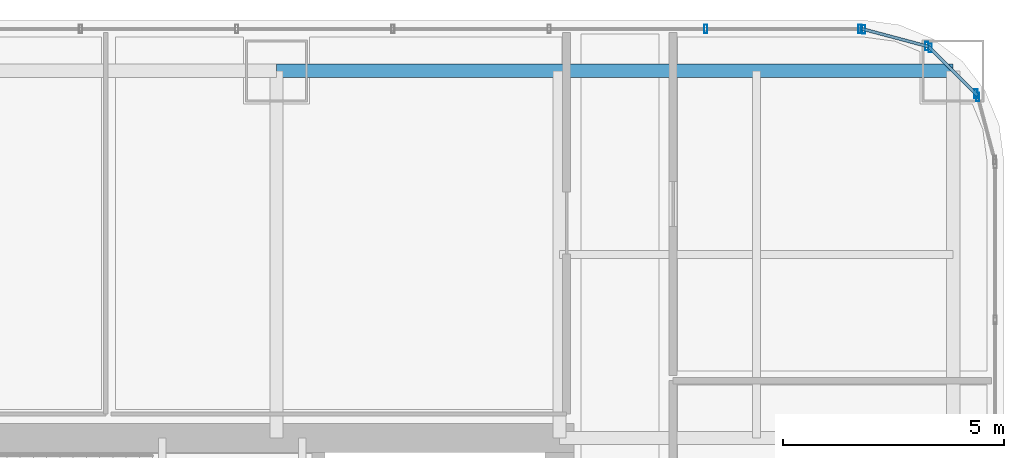
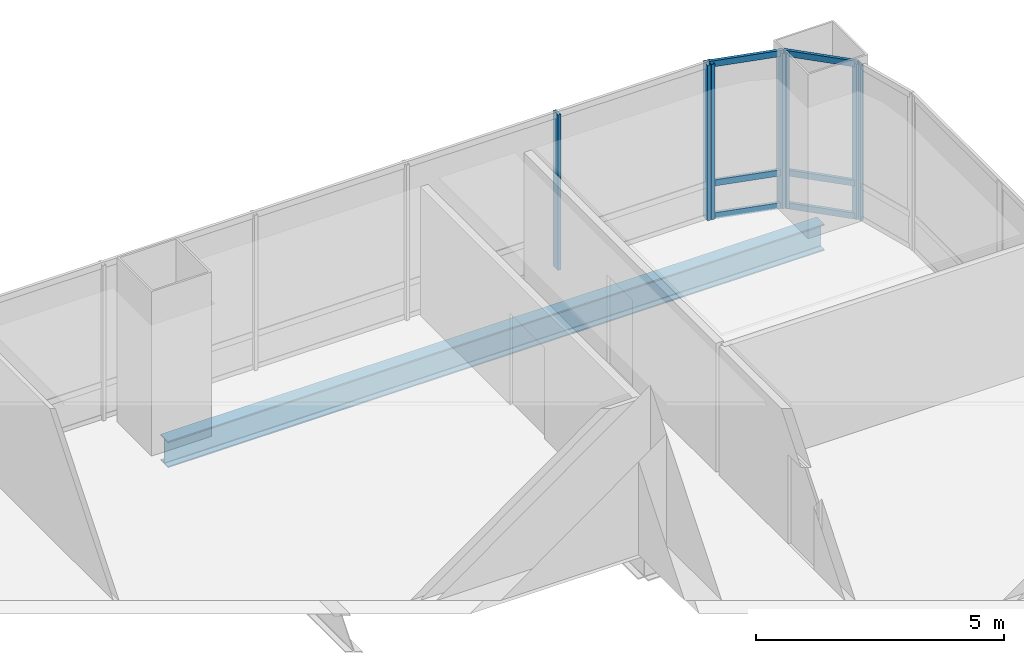
# One storey, part 26 of 37: 13 members, 1 beam, 4 elements without a shape of their own.
"""IFC4 building model written with IfcOpenShell, lengths in metres."""

import ifcopenshell
import ifcopenshell.guid

model = None  # the IFC model being written
_history = None  # IfcOwnerHistory: only IFC2X3 demands one
_inside = {}  # id of a spatial element -> (the spatial element, [elements in it])
_under = {}  # id of a project, library or spatial element -> (it, [spatial elements below it])
_declared = {}  # id of a project -> (the project, [libraries it declares])
_typed = {}  # id of a type object -> (the type object, [elements of that type])
_made_of = {}  # id of a material, layer set ... -> (it, [elements and type objects made of it])


def new_model(schema):
    """Start an empty IFC model of exactly this schema.

    Asked for "IFC4X3", IfcOpenShell would pick the latest addendum, in which some entities
    have other attributes; the version numbers below select the first issue.
    IFC2X3 requires an IfcOwnerHistory on every rooted entity: one is made here for all.
    """
    global model, _history
    if schema == "IFC4X3":
        model = ifcopenshell.file(schema_version=(4, 3, 0, 0))
    else:
        model = ifcopenshell.file(schema=schema)
    _inside.clear()
    _under.clear()
    _declared.clear()
    _typed.clear()
    _made_of.clear()
    _history = None
    if model.schema == "IFC2X3":
        org = make("IfcOrganization", Name="unknown")
        user = make(
            "IfcPersonAndOrganization",
            ThePerson=make("IfcPerson", FamilyName="unknown"),
            TheOrganization=org,
        )
        app = make(
            "IfcApplication",
            ApplicationDeveloper=org,
            Version="unknown",
            ApplicationFullName="unknown",
            ApplicationIdentifier="unknown",
        )
        _history = make(
            "IfcOwnerHistory",
            OwningUser=user,
            OwningApplication=app,
            ChangeAction="ADDED",
            CreationDate=0,
        )
    return model


def make(cls, **values):
    """One entity of the class cls with the attributes given. An attribute that is None is left unset."""
    return model.create_entity(
        cls, **{name: value for name, value in values.items() if value is not None}
    )


def rooted(cls, **values):
    """An entity with a GlobalId (a new one), such as an element, a storey or a relation."""
    return make(cls, GlobalId=ifcopenshell.guid.new(), OwnerHistory=_history, **values)


def si_unit(unit_type, name, prefix=None):
    """IfcSIUnit, for example si_unit("LENGTHUNIT", "METRE", prefix="MILLI")."""
    return make("IfcSIUnit", UnitType=unit_type, Prefix=prefix, Name=name)


def assignment(units):
    """IfcUnitAssignment: the units of a project."""
    return None if units is None else make("IfcUnitAssignment", Units=units)


def point(xyz):
    """IfcCartesianPoint."""
    return None if xyz is None else make("IfcCartesianPoint", Coordinates=xyz)


def direction(xyz):
    """IfcDirection."""
    return None if xyz is None else make("IfcDirection", DirectionRatios=xyz)


def frame(location, z_axis=None, x_axis=None):
    """IfcAxis2Placement3D, a coordinate frame: its origin and axes. An axis left out is left unset."""
    return make(
        "IfcAxis2Placement3D",
        Location=point(location),
        Axis=direction(z_axis),
        RefDirection=direction(x_axis),
    )


def frame_2d(location, x_axis=None):
    """IfcAxis2Placement2D, a coordinate frame in the plane: its origin and x axis."""
    return make(
        "IfcAxis2Placement2D", Location=point(location), RefDirection=direction(x_axis)
    )


def origin():
    """The frame at (0, 0, 0) with its axes left unset."""
    return frame((0.0, 0.0, 0.0))


def origin_2d():
    """The frame at (0, 0) in the plane with its x axis left unset."""
    return frame_2d((0.0, 0.0))


def place(relative_to, where):
    """IfcLocalPlacement: puts the frame where relative to a parent placement (None: the world)."""
    return make(
        "IfcLocalPlacement", PlacementRelTo=relative_to, RelativePlacement=where
    )


def context(
    kind, dimensions, precision=None, world=None, true_north=None, identifier=None
):
    """IfcGeometricRepresentationContext, for example the 3D "Model" context."""
    return make(
        "IfcGeometricRepresentationContext",
        ContextIdentifier=identifier,
        ContextType=kind,
        CoordinateSpaceDimension=dimensions,
        Precision=precision,
        WorldCoordinateSystem=world,
        TrueNorth=true_north,
    )


def subcontext(parent, identifier, kind, view, scale=None):
    """IfcGeometricRepresentationSubContext, for example "Body" below "Model"."""
    return make(
        "IfcGeometricRepresentationSubContext",
        ContextIdentifier=identifier,
        ContextType=kind,
        ParentContext=parent,
        TargetScale=scale,
        TargetView=view,
    )


def project(units=None, contexts=None):
    """IfcProject with its units and contexts."""
    return rooted(
        "IfcProject",
        Name="project",
        RepresentationContexts=contexts,
        UnitsInContext=assignment(units),
    )


def spatial(cls, under=None, at=None, **own):
    """A site, building, storey or space (cls), placed at a placement, below another one or the project."""
    s = rooted(cls, ObjectPlacement=at, **own)
    if under is not None:
        _under.setdefault(under.id(), (under, []))[1].append(s)
    return s


def profile(cls, at=None, kind="AREA", **sizes):
    """A parametric profile (cls). Its sizes go by their IFC names, for example OverallWidth=200.0."""
    return make(cls, ProfileType=kind, Position=at, **sizes)


def hollow_rectangle(**sizes):
    """IfcRectangleHollowProfileDef."""
    return profile("IfcRectangleHollowProfileDef", **sizes)


def i_section(**sizes):
    """IfcIShapeProfileDef."""
    return profile("IfcIShapeProfileDef", **sizes)


def extrude(swept, where, along, depth):
    """IfcExtrudedAreaSolid: the profile swept, set in the frame where, extruded along a direction by depth."""
    return make(
        "IfcExtrudedAreaSolid",
        SweptArea=swept,
        Position=where,
        ExtrudedDirection=direction(along),
        Depth=depth,
    )


def shape(context_of_items, identifier, shape_type, items):
    """IfcShapeRepresentation: the items that make up one representation, for example the "Body"."""
    return make(
        "IfcShapeRepresentation",
        ContextOfItems=context_of_items,
        RepresentationIdentifier=identifier,
        RepresentationType=shape_type,
        Items=items,
    )


def material(Name=None, Category=None):
    """IfcMaterial."""
    return make("IfcMaterial", Name=Name, Category=Category)


def material_profile(
    of_material, cross_section, Name=None, Category=None, Priority=None
):
    """IfcMaterialProfile: a cross section and its material."""
    return make(
        "IfcMaterialProfile",
        Name=Name,
        Material=of_material,
        Profile=cross_section,
        Priority=Priority,
        Category=Category,
    )


def profile_set(profiles, Name=None, composite=None):
    """IfcMaterialProfileSet."""
    return make(
        "IfcMaterialProfileSet",
        Name=Name,
        MaterialProfiles=profiles,
        CompositeProfile=composite,
    )


def made_of(thing, what):
    """Note that an element or type object is made of a material, layer set ...; save() writes the relation."""
    if what is not None:
        _made_of.setdefault(what.id(), (what, []))[1].append(thing)
    return thing


def type_object(cls, material=None, **own):
    """A type object (cls), such as IfcWallType, which elements share."""
    return made_of(rooted(cls, **own), material)


def element(
    cls,
    number,
    at=None,
    inside=None,
    cuts=None,
    type_object=None,
    material=None,
    context=None,
    identifier="Body",
    shape_type=None,
    held_by="IfcProductDefinitionShape",
    body=None,
    shapes=None,
    **own,
):
    """One element of the class cls, such as IfcWall. Its Tag is "e" and its number.

    at: its placement. inside: the storey or other place that contains it. cuts: it is an
    opening in that element (IfcRelVoidsElement). A single representation is given by context,
    identifier, shape_type and body (its items); several are given by shapes. held_by: the class
    of the entity that holds the representations. save() writes the other relations.
    """
    e = rooted(cls, Tag="e%d" % number, ObjectPlacement=at, **own)
    if body is not None:
        shapes = [shape(context, identifier, shape_type, body)]
    if shapes is not None:
        e.Representation = make(held_by, Representations=shapes)
    if inside is not None:
        _inside.setdefault(inside.id(), (inside, []))[1].append(e)
    if cuts is not None:
        rooted(
            "IfcRelVoidsElement", RelatingBuildingElement=cuts, RelatedOpeningElement=e
        )
    if type_object is not None:
        _typed.setdefault(type_object.id(), (type_object, []))[1].append(e)
    return made_of(e, material)


def aggregate(whole, parts):
    """IfcRelAggregates: a whole, such as a stair, and the parts it consists of."""
    return rooted("IfcRelAggregates", RelatingObject=whole, RelatedObjects=parts)


def save(model, path):
    """Write the relations noted so far, then the file.

    IfcRelAggregates (storeys below a building ...), IfcRelContainedInSpatialStructure (elements
    in a storey), IfcRelDefinesByType, IfcRelAssociatesMaterial and IfcRelDeclares: one each for
    every whole, place, type object, material and project.
    """
    for whole, parts in _under.values():
        aggregate(whole, parts)
    for where, things in _inside.values():
        rooted(
            "IfcRelContainedInSpatialStructure",
            RelatedElements=things,
            RelatingStructure=where,
        )
    for kind, things in _typed.values():
        rooted("IfcRelDefinesByType", RelatedObjects=things, RelatingType=kind)
    for what, things in _made_of.values():
        rooted("IfcRelAssociatesMaterial", RelatedObjects=things, RelatingMaterial=what)
    for by, libraries in _declared.values():
        rooted("IfcRelDeclares", RelatingContext=by, RelatedDefinitions=libraries)
    model.write(path)


model = new_model("IFC4")

# Units and contexts
model_context = context("Model", 3, precision=1e-05, world=origin(), true_north=direction((0.0, 1.0)))
body_context = subcontext(model_context, "Body", "Model", "MODEL_VIEW")
ifc_project = project(units=[si_unit("LENGTHUNIT", "METRE"), si_unit("AREAUNIT", "SQUARE_METRE"), si_unit("VOLUMEUNIT", "CUBIC_METRE"), si_unit("PLANEANGLEUNIT", "RADIAN"), si_unit("MASSUNIT", "GRAM", prefix="KILO")], contexts=[model_context])

# Site, building, storey
site_placement = place(None, origin())
site = spatial("IfcSite", under=ifc_project, at=site_placement, CompositionType="ELEMENT")
building_placement = place(site_placement, origin())
building = spatial("IfcBuilding", under=site, at=building_placement, Name="Punatoya Terracotta Tower", CompositionType="ELEMENT")
storey_placement = place(building_placement, frame((0.0, 0.0, 192.449951171875)))
storey = spatial("IfcBuildingStorey", under=building, at=storey_placement, Name="L45", CompositionType="ELEMENT", Elevation=192.449951171875)

# Beam
ifc_material_1 = material(Name="Steel S355", Category="steel")
ifc_material_profile_1 = material_profile(ifc_material_1, i_section(OverallWidth=0.300048828125, OverallDepth=0.64990234375, WebThickness=0.01611328125, FlangeThickness=0.031005859375, FilletRadius=0.01806640625, at=origin_2d()))
ifc_profile_set_1 = profile_set([ifc_material_profile_1], Name="Steel S355")
beam_type = type_object("IfcBeamType", Name="BM-PRI-650", PredefinedType="BEAM", material=ifc_profile_set_1)
beam_placement = place(storey_placement, frame((3.800048828125, 17.5, -0.544921875), z_axis=(1.0, 0.0, 0.0), x_axis=(0.0, 1.0, 0.0)))
element("IfcBeam", 1, at=beam_placement, inside=storey, type_object=beam_type, Name="BM-L45-RG-N3", PredefinedType="BEAM", context=body_context, shape_type="SweptSolid", body=[
    extrude(i_section(OverallWidth=0.300048828125, OverallDepth=0.64990234375, WebThickness=0.01611328125, FlangeThickness=0.031005859375, FilletRadius=0.01806640625, at=origin_2d()), origin(), (0.0, 0.0, 1.0), 15.300048828125),
])

# Curtain wall, member
ifc_material_2 = material(Name="Aluminium 6063-T6 + Double Low-E Glass", Category="aluminium")
curtain_wall_type = type_object("IfcCurtainWallType", Name="CW-M2", PredefinedType="NOTDEFINED", material=ifc_material_2)
curtain_wall_1_placement = place(storey_placement, origin())
curtain_wall_1 = element("IfcCurtainWall", 2, at=curtain_wall_1_placement, inside=storey, type_object=curtain_wall_type, Name="L45 Curtain Wall CW-L45-CRN06", PredefinedType="NOTDEFINED")
ifc_material_3 = material(Name="Aluminium 6063-T6", Category="aluminium")
ifc_material_profile_2 = material_profile(ifc_material_3, hollow_rectangle(XDim=0.072021484375, YDim=0.195068359375, WallThickness=0.00439453125, at=origin_2d()))
ifc_profile_set_2 = profile_set([ifc_material_profile_2], Name="Aluminium 6063-T6")
member_type_1 = type_object("IfcMemberType", Name="CW-MUL-M2", PredefinedType="MULLION", material=ifc_profile_set_2)
member_1_placement = place(storey_placement, frame((19.658203125, 16.905517578125, 0.0), z_axis=(0.0, 0.0, 1.0), x_axis=(1.0, 0.0, 0.0)))
member_1 = element("IfcMember", 3, at=member_1_placement, type_object=member_type_1, Name="CW-L45-CRN06 Mullion 01", PredefinedType="MULLION", context=body_context, shape_type="SweptSolid", body=[
    extrude(hollow_rectangle(XDim=0.072021484375, YDim=0.195068359375, WallThickness=0.00439453125, at=origin_2d()), origin(), (0.0, 0.0, 1.0), 3.830078125),
])
aggregate(curtain_wall_1, [member_1])

# Curtain wall, members
curtain_wall_2_placement = place(storey_placement, origin())
curtain_wall_2 = element("IfcCurtainWall", 4, at=curtain_wall_2_placement, inside=storey, type_object=curtain_wall_type, Name="L45 Curtain Wall CW-L45-CRN07", PredefinedType="NOTDEFINED")
member_2_placement = place(storey_placement, frame((19.61474609375, 16.98095703125, 0.0), z_axis=(0.0, 0.0, 1.0), x_axis=(1.0, 0.0, 0.0)))
member_2 = element("IfcMember", 5, at=member_2_placement, type_object=member_type_1, Name="CW-L45-CRN07 Mullion 00", PredefinedType="MULLION", context=body_context, shape_type="SweptSolid", body=[
    extrude(hollow_rectangle(XDim=0.072021484375, YDim=0.195068359375, WallThickness=0.00439453125, at=origin_2d()), origin(), (0.0, 0.0, 1.0), 3.830078125),
])
member_3_placement = place(storey_placement, frame((18.580810546875, 18.014892578125, 0.0), z_axis=(0.0, 0.0, 1.0), x_axis=(1.0, 0.0, 0.0)))
member_3 = element("IfcMember", 6, at=member_3_placement, type_object=member_type_1, Name="CW-L45-CRN07 Mullion 01", PredefinedType="MULLION", context=body_context, shape_type="SweptSolid", body=[
    extrude(hollow_rectangle(XDim=0.072021484375, YDim=0.195068359375, WallThickness=0.00439453125, at=origin_2d()), origin(), (0.0, 0.0, 1.0), 3.830078125),
])

curtain_wall_3_placement = place(storey_placement, origin())
curtain_wall_3 = element("IfcCurtainWall", 7, at=curtain_wall_3_placement, inside=storey, type_object=curtain_wall_type, Name="L45 Curtain Wall CW-L45-CRN08", PredefinedType="NOTDEFINED")
member_4_placement = place(storey_placement, frame((18.505615234375, 18.05810546875, 0.0), z_axis=(0.0, 0.0, 1.0), x_axis=(1.0, 0.0, 0.0)))
member_4 = element("IfcMember", 8, at=member_4_placement, type_object=member_type_1, Name="CW-L45-CRN08 Mullion 00", PredefinedType="MULLION", context=body_context, shape_type="SweptSolid", body=[
    extrude(hollow_rectangle(XDim=0.072021484375, YDim=0.195068359375, WallThickness=0.00439453125, at=origin_2d()), origin(), (0.0, 0.0, 1.0), 3.830078125),
])
member_5_placement = place(storey_placement, frame((17.080322265625, 18.4384765625, 0.0), z_axis=(0.0, 0.0, 1.0), x_axis=(1.0, 0.0, 0.0)))
member_5 = element("IfcMember", 9, at=member_5_placement, type_object=member_type_1, Name="CW-L45-CRN08 Mullion 01", PredefinedType="MULLION", context=body_context, shape_type="SweptSolid", body=[
    extrude(hollow_rectangle(XDim=0.072021484375, YDim=0.195068359375, WallThickness=0.00439453125, at=origin_2d()), origin(), (0.0, 0.0, 1.0), 3.830078125),
])

curtain_wall_4_placement = place(storey_placement, origin())
curtain_wall_4 = element("IfcCurtainWall", 10, at=curtain_wall_4_placement, inside=storey, type_object=curtain_wall_type, Name="L45 Curtain Wall CW-L45-N09-1", PredefinedType="NOTDEFINED")
member_6_placement = place(storey_placement, frame((16.991943359375, 18.449951171875, 0.0), z_axis=(0.0, 0.0, 1.0), x_axis=(1.0, 0.0, 0.0)))
member_6 = element("IfcMember", 11, at=member_6_placement, type_object=member_type_1, Name="CW-L45-N09-1 Mullion 00", PredefinedType="MULLION", context=body_context, shape_type="SweptSolid", body=[
    extrude(hollow_rectangle(XDim=0.072021484375, YDim=0.195068359375, WallThickness=0.00439453125, at=origin_2d()), origin(), (0.0, 0.0, 1.0), 3.830078125),
])
member_7_placement = place(storey_placement, frame((13.5029296875, 18.449951171875, 0.0), z_axis=(0.0, 0.0, 1.0), x_axis=(1.0, 0.0, 0.0)))
member_7 = element("IfcMember", 12, at=member_7_placement, type_object=member_type_1, Name="CW-L45-N09-1 Mullion 01", PredefinedType="MULLION", context=body_context, shape_type="SweptSolid", body=[
    extrude(hollow_rectangle(XDim=0.072021484375, YDim=0.195068359375, WallThickness=0.00439453125, at=origin_2d()), origin(), (0.0, 0.0, 1.0), 3.830078125),
])
aggregate(curtain_wall_4, [member_6, member_7])

# Member
ifc_material_profile_3 = material_profile(ifc_material_3, hollow_rectangle(XDim=0.068115234375, YDim=0.14990234375, WallThickness=0.00390625, at=origin_2d()))
ifc_profile_set_3 = profile_set([ifc_material_profile_3], Name="Aluminium 6063-T6")
member_type_2 = type_object("IfcMemberType", Name="CW-TRN-TYP", PredefinedType="USERDEFINED", material=ifc_profile_set_3)
member_8_placement = place(storey_placement, frame((19.646484375, 16.94921875, 0.0400390625), z_axis=(-0.707106781187, 0.707106781187, 0.0), x_axis=(-0.707106781187, -0.707106781187, 0.0)))
member_8 = element("IfcMember", 13, at=member_8_placement, type_object=member_type_2, Name="CW-L45-CRN07 Transom 1", ObjectType="TRANSOM", PredefinedType="USERDEFINED", context=body_context, shape_type="SweptSolid", body=[
    extrude(hollow_rectangle(XDim=0.068115234375, YDim=0.14990234375, WallThickness=0.00390625, at=origin_2d()), origin(), (0.0, 0.0, 1.0), 1.552001953125),
])

member_9_placement = place(storey_placement, frame((19.646484375, 16.94921875, 0.85009765625), z_axis=(-0.707106781187, 0.707106781187, 0.0), x_axis=(-0.707106781187, -0.707106781187, 0.0)))
member_9 = element("IfcMember", 14, at=member_9_placement, type_object=member_type_2, Name="CW-L45-CRN07 Transom 2", ObjectType="TRANSOM", PredefinedType="USERDEFINED", context=body_context, shape_type="SweptSolid", body=[
    extrude(hollow_rectangle(XDim=0.068115234375, YDim=0.14990234375, WallThickness=0.00390625, at=origin_2d()), origin(), (0.0, 0.0, 1.0), 1.552001953125),
])

member_10_placement = place(storey_placement, frame((19.646484375, 16.94921875, 3.7900390625), z_axis=(-0.707106781187, 0.707106781187, 0.0), x_axis=(-0.707106781187, -0.707106781187, 0.0)))
member_10 = element("IfcMember", 15, at=member_10_placement, type_object=member_type_2, Name="CW-L45-CRN07 Transom 3", ObjectType="TRANSOM", PredefinedType="USERDEFINED", context=body_context, shape_type="SweptSolid", body=[
    extrude(hollow_rectangle(XDim=0.068115234375, YDim=0.14990234375, WallThickness=0.00390625, at=origin_2d()), origin(), (0.0, 0.0, 1.0), 1.552001953125),
])

aggregate(curtain_wall_2, [member_2, member_3, member_8, member_9, member_10])

member_11_placement = place(storey_placement, frame((18.549072265625, 18.046630859375, 0.0400390625), z_axis=(-0.966224582397, 0.257701486942, 0.0), x_axis=(-0.257701486942, -0.966224582397, 0.0)))
member_11 = element("IfcMember", 16, at=member_11_placement, type_object=member_type_2, Name="CW-L45-CRN08 Transom 1", ObjectType="TRANSOM", PredefinedType="USERDEFINED", context=body_context, shape_type="SweptSolid", body=[
    extrude(hollow_rectangle(XDim=0.068115234375, YDim=0.14990234375, WallThickness=0.00390625, at=origin_2d()), origin(), (0.0, 0.0, 1.0), 1.565185546875),
])

member_12_placement = place(storey_placement, frame((18.549072265625, 18.046630859375, 0.85009765625), z_axis=(-0.966224582397, 0.257701486942, 0.0), x_axis=(-0.257701486942, -0.966224582397, 0.0)))
member_12 = element("IfcMember", 17, at=member_12_placement, type_object=member_type_2, Name="CW-L45-CRN08 Transom 2", ObjectType="TRANSOM", PredefinedType="USERDEFINED", context=body_context, shape_type="SweptSolid", body=[
    extrude(hollow_rectangle(XDim=0.068115234375, YDim=0.14990234375, WallThickness=0.00390625, at=origin_2d()), origin(), (0.0, 0.0, 1.0), 1.565185546875),
])

member_13_placement = place(storey_placement, frame((18.549072265625, 18.046630859375, 3.7900390625), z_axis=(-0.966224582397, 0.257701486942, 0.0), x_axis=(-0.257701486942, -0.966224582397, 0.0)))
member_13 = element("IfcMember", 18, at=member_13_placement, type_object=member_type_2, Name="CW-L45-CRN08 Transom 3", ObjectType="TRANSOM", PredefinedType="USERDEFINED", context=body_context, shape_type="SweptSolid", body=[
    extrude(hollow_rectangle(XDim=0.068115234375, YDim=0.14990234375, WallThickness=0.00390625, at=origin_2d()), origin(), (0.0, 0.0, 1.0), 1.565185546875),
])

aggregate(curtain_wall_3, [member_4, member_5, member_11, member_12, member_13])

save(model, "model.ifc")
